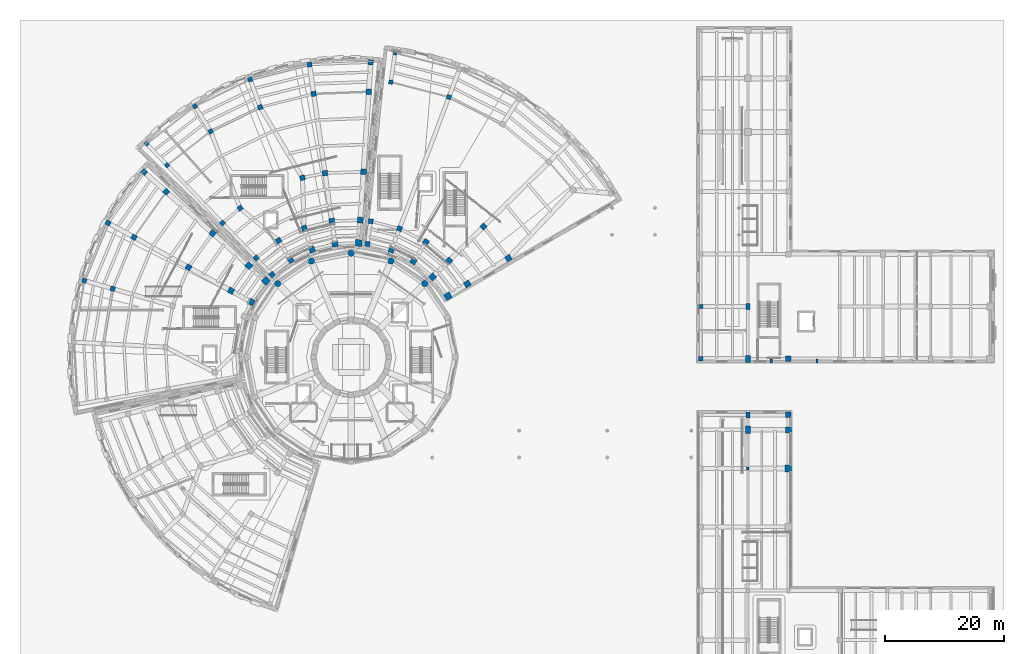
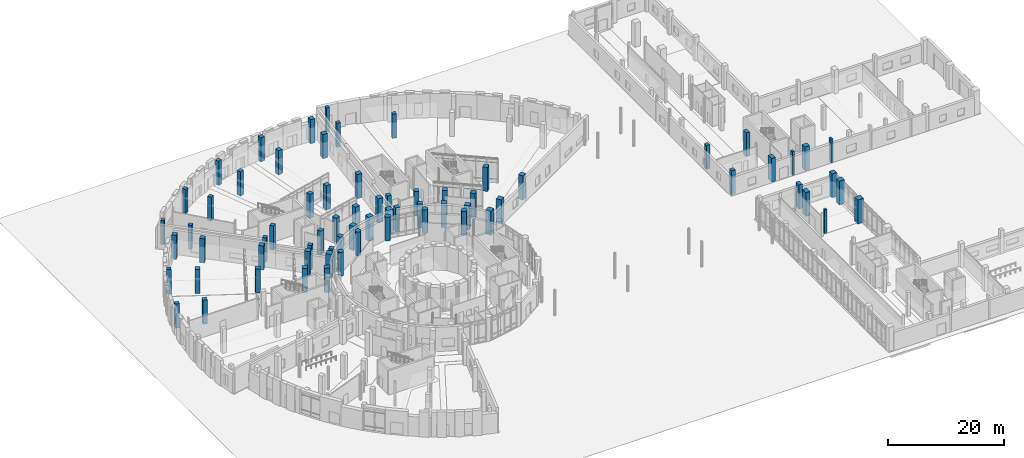
# One storey, part 6 of 74: 70 columns.
"""IFC4 building model written with IfcOpenShell, lengths in metres."""

from ifc_helpers import new_model, si_unit, direction, frame, origin, origin_2d, place, context, subcontext, project, spatial, rectangle, circle, extrude, material, material_profile, profile_set, type_object, element, save


model = new_model("IFC4")

# Units and contexts
model_context = context("Model", 3, precision=1e-05, world=origin(), true_north=direction((0.0, 1.0)))
body_context = subcontext(model_context, "Body", "Model", "MODEL_VIEW")
ifc_project = project(units=[si_unit("LENGTHUNIT", "METRE"), si_unit("AREAUNIT", "SQUARE_METRE"), si_unit("VOLUMEUNIT", "CUBIC_METRE"), si_unit("PLANEANGLEUNIT", "RADIAN"), si_unit("MASSUNIT", "GRAM", prefix="KILO")], contexts=[model_context])

# Site, building, storey
site_placement = place(None, origin())
site = spatial("IfcSite", under=ifc_project, at=site_placement, CompositionType="ELEMENT")
building_placement = place(site_placement, origin())
building = spatial("IfcBuilding", under=site, at=building_placement, Name="Soyqirgoq Riverine Aquarium", CompositionType="ELEMENT")
storey_placement = place(building_placement, origin())
storey = spatial("IfcBuildingStorey", under=building, at=storey_placement, Name="L01", CompositionType="ELEMENT", Elevation=0.0)

# Columns
ifc_material_1 = material(Name="Concrete C40/50", Category="concrete")
ifc_material_profile_1 = material_profile(ifc_material_1, circle(Radius=0.52490234375, at=origin_2d()), Name="RC-COL D1050")
ifc_profile_set_1 = profile_set([ifc_material_profile_1], Name="Concrete C40/50")
column_type_1 = type_object("IfcColumnType", Name="Col_Circ_D1050", PredefinedType="COLUMN", material=ifc_profile_set_1)
for number, where, z_axis, x_axis, name in (
    (1, (68.339111328125, 69.339111328125, 0.0), (0.0, 0.0, 1.0), (0.707106781187, 0.707106781187, 0.0), "V1 Column V1-CO03 L01"),
    (2, (62.677734375, 73.12158203125, 0.0), (0.0, 0.0, 1.0), (0.382683432365, 0.923879532511, 0.0), "V1 Column V1-CO04 L01"),
    (3, (56.0, 74.449951171875, 0.0), (0.0, 0.0, 1.0), (0.0, 1.0, 0.0), "V1 Column V1-CO05 L01"),
    (4, (49.322265625, 73.12158203125, 0.0), (0.0, 0.0, 1.0), (-0.382683432365, 0.923879532511, 0.0), "V1 Column V1-CO06 L01"),
    (5, (43.660888671875, 69.339111328125, 0.0), (0.0, 0.0, 1.0), (-0.707106781187, 0.707106781187, 0.0), "V1 Column V1-CO07 L01"),
):
    element("IfcColumn", number, at=place(storey_placement, frame(where, z_axis=z_axis, x_axis=x_axis)), inside=storey, type_object=column_type_1, Name=name, PredefinedType="COLUMN", context=body_context, shape_type="SweptSolid", body=[
        extrude(circle(Radius=0.52490234375, at=origin_2d()), origin(), (0.0, 0.0, 1.0), 5.050048828125),
    ])
ifc_material_2 = material(Name="Concrete C40/50", Category="concrete")
ifc_material_profile_2 = material_profile(ifc_material_2, rectangle(XDim=1.0, YDim=1.0, at=origin_2d()), Name="RC 1000x1000")
ifc_profile_set_2 = profile_set([ifc_material_profile_2], Name="Concrete C40/50")
column_type_2 = type_object("IfcColumnType", Name="Col_RC_1000x1000", PredefinedType="COLUMN", material=ifc_profile_set_2)
for number, where, z_axis, x_axis, name in (
    (6, (38.81689453125, 72.363525390625, 0.0), (0.0, 0.0, 1.0), (-0.745475999683, 0.666532470249, 0.0), "V3 Column V3-CR2-01 L01"),
    (7, (39.191162109375, 66.279052734375, 0.0), (0.0, 0.0, 1.0), (-0.875464527, 0.483282383255, 0.0), "V3 Column V3-CR1-02 L01"),
    (8, (57.527587890625, 79.999267578125, 0.0), (0.0, 0.0, 1.0), (0.0662739004, 0.997801468292, 0.0), "V4 Column V4-CR2-01 L01"),
    (9, (53.294677734375, 76.008544921875, 0.0), (0.0, 0.0, 1.0), (-0.140901231938, 0.990023657717, 0.0), "V4 Column V4-CR1-02 L01"),
    (10, (75.5048828125, 69.28271484375, 0.0), (0.0, 0.0, 1.0), (0.846193166128, 0.532876276071, 0.0), "V5 Column V5-CR2-01 L01"),
    (11, (69.6708984375, 70.481201171875, 0.0), (0.0, 0.0, 1.0), (0.712026045991, 0.702153052995, 0.0), "V5 Column V5-CR1-02 L01"),
):
    element("IfcColumn", number, at=place(storey_placement, frame(where, z_axis=z_axis, x_axis=x_axis)), inside=storey, type_object=column_type_2, Name=name, PredefinedType="COLUMN", context=body_context, shape_type="SweptSolid", body=[
        extrude(rectangle(XDim=1.0, YDim=1.0, at=origin_2d()), origin(), (0.0, 0.0, 1.0), 5.10009765625),
    ])
column_1_placement = place(storey_placement, frame((129.39990234375, 44.800048828125, 0.0), z_axis=(0.0, 0.0, 1.0), x_axis=(1.0, 0.0, 0.0)))
element("IfcColumn", 12, at=column_1_placement, inside=storey, type_object=column_type_2, Name="V6 Column V6-C-19 L01", PredefinedType="COLUMN", context=body_context, shape_type="SweptSolid", body=[
    extrude(rectangle(XDim=1.0, YDim=1.0, at=origin_2d()), origin(), (0.0, 0.0, 1.0), 5.050048828125),
])
ifc_material_3 = material(Name="Waterproof concrete C45/55", Category="concrete")
ifc_material_profile_3 = material_profile(ifc_material_3, rectangle(XDim=1.10009765625, YDim=1.10009765625, at=origin_2d()), Name="RC 1100x1100")
ifc_profile_set_3 = profile_set([ifc_material_profile_3], Name="Waterproof concrete C45/55")
column_type_3 = type_object("IfcColumnType", Name="Col_RC_1100x1100", PredefinedType="COLUMN", material=ifc_profile_set_3)
for number, where, z_axis, x_axis, name in (
    (13, (41.68701171875, 69.79736328125, 0.0), (0.0, 0.0, 1.0), (-0.745475999683, 0.666532470249, 0.0), "V3 Column V3-CR1-01 L01"),
    (14, (57.2724609375, 76.15771484375, 0.0), (0.0, 0.0, 1.0), (0.0662739004, 0.997801468292, 0.0), "V4 Column V4-CR1-01 L01"),
    (15, (72.246826171875, 67.231201171875, 0.0), (0.0, 0.0, 1.0), (0.846193166128, 0.532876276071, 0.0), "V5 Column V5-CR1-01 L01"),
):
    element("IfcColumn", number, at=place(storey_placement, frame(where, z_axis=z_axis, x_axis=x_axis)), inside=storey, type_object=column_type_3, Name=name, PredefinedType="COLUMN", context=body_context, shape_type="SweptSolid", body=[
        extrude(rectangle(XDim=1.10009765625, YDim=1.10009765625, at=origin_2d()), origin(), (0.0, 0.0, 1.0), 5.10009765625),
    ])
column_2_placement = place(storey_placement, frame((129.39990234375, 38.300048828125, 0.0), z_axis=(0.0, 0.0, 1.0), x_axis=(1.0, 0.0, 0.0)))
element("IfcColumn", 16, at=column_2_placement, inside=storey, type_object=column_type_3, Name="V6 Column V6-C-18 L01", PredefinedType="COLUMN", context=body_context, shape_type="SweptSolid", body=[
    extrude(rectangle(XDim=1.10009765625, YDim=1.10009765625, at=origin_2d()), origin(), (0.0, 0.0, 1.0), 5.050048828125),
])
ifc_material_4 = material(Name="Concrete C40/50", Category="concrete")
ifc_material_profile_4 = material_profile(ifc_material_4, rectangle(XDim=0.449951171875, YDim=0.449951171875, at=origin_2d()), Name="RC 450x450")
ifc_profile_set_4 = profile_set([ifc_material_profile_4], Name="Concrete C40/50")
column_type_4 = type_object("IfcColumnType", Name="Col_RC_450x450", PredefinedType="COLUMN", material=ifc_profile_set_4)
column_3_placement = place(storey_placement, frame((122.60009765625, 38.300048828125, 0.0), z_axis=(0.0, 0.0, 1.0), x_axis=(1.0, 0.0, 0.0)))
element("IfcColumn", 17, at=column_3_placement, inside=storey, type_object=column_type_4, Name="V6 Column V6-C-12 L01", PredefinedType="COLUMN", context=body_context, shape_type="SweptSolid", body=[
    extrude(rectangle(XDim=0.449951171875, YDim=0.449951171875, at=origin_2d()), origin(), (0.0, 0.0, 1.0), 5.050048828125),
])
ifc_material_5 = material(Name="Concrete C40/50", Category="concrete")
ifc_material_profile_5 = material_profile(ifc_material_5, rectangle(XDim=0.64990234375, YDim=0.64990234375, at=origin_2d()), Name="RC 650x650")
ifc_profile_set_5 = profile_set([ifc_material_profile_5], Name="Concrete C40/50")
column_type_5 = type_object("IfcColumnType", Name="Col_RC_650x650", PredefinedType="COLUMN", material=ifc_profile_set_5)
for number, where, z_axis, x_axis, name in (
    (18, (21.669677734375, 92.79931640625, 0.0), (0.0, 0.0, 1.0), (-0.69214317387, 0.721760228098, 0.0), "V4 Column V4-CR5-05 L01"),
    (19, (63.359619140625, 108.072509765625, 0.0), (0.0, 0.0, 1.0), (0.142628933706, 0.989776230908, 0.0), "V5 Column V5-CR5-05 L01"),
):
    element("IfcColumn", number, at=place(storey_placement, frame(where, z_axis=z_axis, x_axis=x_axis)), inside=storey, type_object=column_type_5, Name=name, PredefinedType="COLUMN", context=body_context, shape_type="SweptSolid", body=[
        extrude(rectangle(XDim=0.64990234375, YDim=0.64990234375, at=origin_2d()), origin(), (0.0, 0.0, 1.0), 5.10009765625),
    ])
ifc_material_6 = material(Name="Concrete C40/50", Category="concrete")
ifc_material_profile_6 = material_profile(ifc_material_6, rectangle(XDim=0.699951171875, YDim=1.050048828125, at=origin_2d()), Name="RC-COL 700x1050")
ifc_profile_set_6 = profile_set([ifc_material_profile_6], Name="Concrete C40/50")
column_type_6 = type_object("IfcColumnType", Name="Col_RC_700x1050", PredefinedType="COLUMN", material=ifc_profile_set_6)
for number, where, z_axis, x_axis, name in (
    (20, (122.60009765625, 47.300048828125, 0.0), (0.0, 0.0, 1.0), (1.0, 0.0, 0.0), "V6 Column V6-C-14 L01"),
    (21, (122.60009765625, 65.5, 0.0), (0.0, 0.0, 1.0), (1.0, 0.0, 0.0), "V7 Column V7-C-09 L01"),
):
    element("IfcColumn", number, at=place(storey_placement, frame(where, z_axis=z_axis, x_axis=x_axis)), inside=storey, type_object=column_type_6, Name=name, PredefinedType="COLUMN", context=body_context, shape_type="SweptSolid", body=[
        extrude(rectangle(XDim=0.699951171875, YDim=1.050048828125, at=origin_2d()), origin(), (0.0, 0.0, 1.0), 5.050048828125),
    ])
ifc_material_7 = material(Name="Concrete C40/50", Category="concrete")
ifc_material_profile_7 = material_profile(ifc_material_7, rectangle(XDim=0.699951171875, YDim=0.699951171875, at=origin_2d()), Name="RC 700x700")
ifc_profile_set_7 = profile_set([ifc_material_profile_7], Name="Concrete C40/50")
column_type_7 = type_object("IfcColumnType", Name="Col_RC_700x700", PredefinedType="COLUMN", material=ifc_profile_set_7)
for number, where, z_axis, x_axis, name in (
    (22, (29.78955078125, 99.10888671875, 0.0), (0.0, 0.0, 1.0), (-0.528438334722, 0.848971687629, 0.0), "V4 Column V4-CR5-04 L01"),
    (23, (25.095703125, 89.2265625, 0.0), (0.0, 0.0, 1.0), (-0.69214317387, 0.721760228098, 0.0), "V4 Column V4-CR4-05 L01"),
    (24, (62.653564453125, 103.173095703125, 0.0), (0.0, 0.0, 1.0), (0.142628933706, 0.989776230908, 0.0), "V5 Column V5-CR4-05 L01"),
):
    element("IfcColumn", number, at=place(storey_placement, frame(where, z_axis=z_axis, x_axis=x_axis)), inside=storey, type_object=column_type_7, Name=name, PredefinedType="COLUMN", context=body_context, shape_type="SweptSolid", body=[
        extrude(rectangle(XDim=0.699951171875, YDim=0.699951171875, at=origin_2d()), origin(), (0.0, 0.0, 1.0), 5.10009765625),
    ])
column_4_placement = place(storey_placement, frame((114.699951171875, 65.5, 0.0), z_axis=(0.0, 0.0, 1.0), x_axis=(1.0, 0.0, 0.0)))
element("IfcColumn", 25, at=column_4_placement, inside=storey, type_object=column_type_7, Name="V7 Column V7-C-02 L01", PredefinedType="COLUMN", context=body_context, shape_type="SweptSolid", body=[
    extrude(rectangle(XDim=0.699951171875, YDim=0.699951171875, at=origin_2d()), origin(), (0.0, 0.0, 1.0), 5.050048828125),
])
ifc_material_8 = material(Name="Concrete C40/50", Category="concrete")
ifc_material_profile_8 = material_profile(ifc_material_8, rectangle(XDim=0.75, YDim=0.75, at=origin_2d()), Name="RC 750x750")
ifc_profile_set_8 = profile_set([ifc_material_profile_8], Name="Concrete C40/50")
column_type_8 = type_object("IfcColumnType", Name="Col_RC_750x750", PredefinedType="COLUMN", material=ifc_profile_set_8)
for number, where, z_axis, x_axis, name in (
    (26, (11.205078125, 69.8447265625, 0.0), (0.0, 0.0, 1.0), (-0.961261695938, 0.275637355817, 0.0), "V3 Column V3-CR5-03 L01"),
    (27, (39.035888671875, 103.60888671875, 0.0), (0.0, 0.0, 1.0), (-0.342020143326, 0.939692620786, 0.0), "V4 Column V4-CR5-03 L01"),
    (28, (32.4052734375, 94.906494140625, 0.0), (0.0, 0.0, 1.0), (-0.528438334722, 0.848971687629, 0.0), "V4 Column V4-CR4-04 L01"),
    (29, (34.405029296875, 79.518798828125, 0.0), (0.0, 0.0, 1.0), (-0.69214317387, 0.721760228098, 0.0), "V4 Column V4-CR3-05 L01"),
    (30, (72.413330078125, 100.667236328125, 0.0), (0.0, 0.0, 1.0), (0.351841648405, 0.936059535739, 0.0), "V5 Column V5-CR4-04 L01"),
):
    element("IfcColumn", number, at=place(storey_placement, frame(where, z_axis=z_axis, x_axis=x_axis)), inside=storey, type_object=column_type_8, Name=name, PredefinedType="COLUMN", context=body_context, shape_type="SweptSolid", body=[
        extrude(rectangle(XDim=0.75, YDim=0.75, at=origin_2d()), origin(), (0.0, 0.0, 1.0), 5.10009765625),
    ])
column_5_placement = place(storey_placement, frame((114.699951171875, 56.699951171875, 0.0), z_axis=(0.0, 0.0, 1.0), x_axis=(1.0, 0.0, 0.0)))
element("IfcColumn", 31, at=column_5_placement, inside=storey, type_object=column_type_8, Name="V7 Column V7-C-01 L01", PredefinedType="COLUMN", context=body_context, shape_type="SweptSolid", body=[
    extrude(rectangle(XDim=0.75, YDim=0.75, at=origin_2d()), origin(), (0.0, 0.0, 1.0), 5.050048828125),
])
ifc_material_9 = material(Name="Concrete C40/50", Category="concrete")
ifc_material_profile_9 = material_profile(ifc_material_9, rectangle(XDim=0.800048828125, YDim=1.199951171875, at=origin_2d()), Name="RC-COL 800x1200")
ifc_profile_set_9 = profile_set([ifc_material_profile_9], Name="Concrete C40/50")
column_type_9 = type_object("IfcColumnType", Name="Col_RC_800x1200", PredefinedType="COLUMN", material=ifc_profile_set_9)
for number, where, z_axis, x_axis, name in (
    (32, (122.60009765625, 44.800048828125, 0.0), (0.0, 0.0, 1.0), (1.0, 0.0, 0.0), "V6 Column V6-C-13 L01"),
    (33, (122.60009765625, 56.699951171875, 0.0), (0.0, 0.0, 1.0), (1.0, 0.0, 0.0), "V7 Column V7-C-08 L01"),
):
    element("IfcColumn", number, at=place(storey_placement, frame(where, z_axis=z_axis, x_axis=x_axis)), inside=storey, type_object=column_type_9, Name=name, PredefinedType="COLUMN", context=body_context, shape_type="SweptSolid", body=[
        extrude(rectangle(XDim=0.800048828125, YDim=1.199951171875, at=origin_2d()), origin(), (0.0, 0.0, 1.0), 5.050048828125),
    ])
ifc_material_10 = material(Name="Concrete C40/50", Category="concrete")
ifc_material_profile_10 = material_profile(ifc_material_10, rectangle(XDim=0.800048828125, YDim=0.800048828125, at=origin_2d()), Name="RC 800x800")
ifc_profile_set_10 = profile_set([ifc_material_profile_10], Name="Concrete C40/50")
column_type_10 = type_object("IfcColumnType", Name="Col_RC_800x800", PredefinedType="COLUMN", material=ifc_profile_set_10)
for number, where, z_axis, x_axis, name in (
    (34, (15.203369140625, 79.52099609375, 0.0), (0.0, 0.0, 1.0), (-0.875464527, 0.483282383255, 0.0), "V3 Column V3-CR5-02 L01"),
    (35, (15.96337890625, 68.480224609375, 0.0), (0.0, 0.0, 1.0), (-0.961261695938, 0.275637355817, 0.0), "V3 Column V3-CR4-03 L01"),
    (36, (49.01123046875, 106.105224609375, 0.0), (0.0, 0.0, 1.0), (-0.140901231938, 0.990023657717, 0.0), "V4 Column V4-CR5-02 L01"),
    (37, (40.728759765625, 98.957275390625, 0.0), (0.0, 0.0, 1.0), (-0.342020143326, 0.939692620786, 0.0), "V4 Column V4-CR4-03 L01"),
    (38, (37.35400390625, 82.015380859375, 0.0), (0.0, 0.0, 1.0), (-0.597625146976, 0.801775644244, 0.0), "V4 Column V4-CR3-04 L01"),
    (39, (40.046142578125, 73.63671875, 0.0), (0.0, 0.0, 1.0), (-0.69214317387, 0.721760228098, 0.0), "V4 Column V4-CR2-05 L01"),
    (40, (59.28759765625, 79.814208984375, 0.0), (0.0, 0.0, 1.0), (0.142628933706, 0.989776230908, 0.0), "V5 Column V5-CR2-05 L01"),
):
    element("IfcColumn", number, at=place(storey_placement, frame(where, z_axis=z_axis, x_axis=x_axis)), inside=storey, type_object=column_type_10, Name=name, PredefinedType="COLUMN", context=body_context, shape_type="SweptSolid", body=[
        extrude(rectangle(XDim=0.800048828125, YDim=0.800048828125, at=origin_2d()), origin(), (0.0, 0.0, 1.0), 5.10009765625),
    ])
ifc_material_11 = material(Name="Concrete C40/50", Category="concrete")
ifc_material_profile_11 = material_profile(ifc_material_11, rectangle(XDim=0.85009765625, YDim=0.85009765625, at=origin_2d()), Name="RC 850x850")
ifc_profile_set_11 = profile_set([ifc_material_profile_11], Name="Concrete C40/50")
column_type_11 = type_object("IfcColumnType", Name="Col_RC_850x850", PredefinedType="COLUMN", material=ifc_profile_set_11)
for number, where, z_axis, x_axis, name in (
    (41, (21.2607421875, 88.060302734375, 0.0), (0.0, 0.0, 1.0), (-0.745475999683, 0.666532470249, 0.0), "V3 Column V3-CR5-01 L01"),
    (42, (19.536865234375, 77.128662109375, 0.0), (0.0, 0.0, 1.0), (-0.875464527, 0.483282383255, 0.0), "V3 Column V3-CR4-02 L01"),
    (43, (59.287109375, 106.490966796875, 0.0), (0.0, 0.0, 1.0), (0.0662739004, 0.997801468292, 0.0), "V4 Column V4-CR5-01 L01"),
    (44, (49.708740234375, 101.20458984375, 0.0), (0.0, 0.0, 1.0), (-0.140901231938, 0.990023657717, 0.0), "V4 Column V4-CR4-02 L01"),
    (45, (47.819580078125, 87.1083984375, 0.0), (0.0, 0.0, 1.0), (-0.262189178641, 0.965016494472, 0.0), "V4 Column V4-CR3-03 L01"),
    (46, (43.819580078125, 76.56884765625, 0.0), (0.0, 0.0, 1.0), (-0.528438334722, 0.848971687629, 0.0), "V4 Column V4-CR2-04 L01"),
    (47, (42.7109375, 70.85791015625, 0.0), (0.0, 0.0, 1.0), (-0.69214317387, 0.721760228098, 0.0), "V4 Column V4-CR1-05 L01"),
    (48, (64.10986328125, 78.576171875, 0.0), (0.0, 0.0, 1.0), (0.351841648405, 0.936059535739, 0.0), "V5 Column V5-CR2-04 L01"),
    (49, (58.738525390625, 76.003662109375, 0.0), (0.0, 0.0, 1.0), (0.142628933706, 0.989776230908, 0.0), "V5 Column V5-CR1-05 L01"),
):
    element("IfcColumn", number, at=place(storey_placement, frame(where, z_axis=z_axis, x_axis=x_axis)), inside=storey, type_object=column_type_11, Name=name, PredefinedType="COLUMN", context=body_context, shape_type="SweptSolid", body=[
        extrude(rectangle(XDim=0.85009765625, YDim=0.85009765625, at=origin_2d()), origin(), (0.0, 0.0, 1.0), 5.10009765625),
    ])
ifc_material_12 = material(Name="Concrete C40/50", Category="concrete")
ifc_material_profile_12 = material_profile(ifc_material_12, rectangle(XDim=0.89990234375, YDim=0.89990234375, at=origin_2d()), Name="RC 900x900")
ifc_profile_set_12 = profile_set([ifc_material_profile_12], Name="Concrete C40/50")
column_type_12 = type_object("IfcColumnType", Name="Col_RC_900x900", PredefinedType="COLUMN", material=ifc_profile_set_12)
for number, where, z_axis, x_axis, name in (
    (50, (24.950927734375, 84.760986328125, 0.0), (0.0, 0.0, 1.0), (-0.745475999683, 0.666532470249, 0.0), "V3 Column V3-CR4-01 L01"),
    (51, (28.685546875, 72.078369140625, 0.0), (0.0, 0.0, 1.0), (-0.875464527, 0.483282383255, 0.0), "V3 Column V3-CR3-02 L01"),
    (52, (58.958984375, 101.5517578125, 0.0), (0.0, 0.0, 1.0), (0.0662739004, 0.997801468292, 0.0), "V4 Column V4-CR4-01 L01"),
    (53, (51.60400390625, 87.888671875, 0.0), (0.0, 0.0, 1.0), (-0.140901231938, 0.990023657717, 0.0), "V4 Column V4-CR3-02 L01"),
    (54, (48.116455078125, 78.659912109375, 0.0), (0.0, 0.0, 1.0), (-0.342020143326, 0.939692620786, 0.0), "V4 Column V4-CR2-03 L01"),
    (55, (45.85400390625, 73.30029296875, 0.0), (0.0, 0.0, 1.0), (-0.528438334722, 0.848971687629, 0.0), "V4 Column V4-CR1-04 L01"),
    (56, (78.215087890625, 78.9072265625, 0.0), (0.0, 0.0, 1.0), (0.712026045991, 0.702153052995, 0.0), "V5 Column V5-CR3-02 L01"),
    (57, (68.553955078125, 76.331298828125, 0.0), (0.0, 0.0, 1.0), (0.544639035015, 0.838670567945, 0.0), "V5 Column V5-CR2-03 L01"),
    (58, (62.75537109375, 74.972412109375, 0.0), (0.0, 0.0, 1.0), (0.351841648405, 0.936059535739, 0.0), "V5 Column V5-CR1-04 L01"),
):
    element("IfcColumn", number, at=place(storey_placement, frame(where, z_axis=z_axis, x_axis=x_axis)), inside=storey, type_object=column_type_12, Name=name, PredefinedType="COLUMN", context=body_context, shape_type="SweptSolid", body=[
        extrude(rectangle(XDim=0.89990234375, YDim=0.89990234375, at=origin_2d()), origin(), (0.0, 0.0, 1.0), 5.10009765625),
    ])
ifc_material_13 = material(Name="Concrete C40/50", Category="concrete")
ifc_material_profile_13 = material_profile(ifc_material_13, rectangle(XDim=0.949951171875, YDim=0.949951171875, at=origin_2d()), Name="RC 950x950")
ifc_profile_set_13 = profile_set([ifc_material_profile_13], Name="Concrete C40/50")
column_type_13 = type_object("IfcColumnType", Name="Col_RC_950x950", PredefinedType="COLUMN", material=ifc_profile_set_13)
for number, where, z_axis, x_axis, name in (
    (59, (32.7412109375, 77.7958984375, 0.0), (0.0, 0.0, 1.0), (-0.745475999683, 0.666532470249, 0.0), "V3 Column V3-CR3-01 L01"),
    (60, (35.820556640625, 68.1396484375, 0.0), (0.0, 0.0, 1.0), (-0.875464527, 0.483282383255, 0.0), "V3 Column V3-CR2-02 L01"),
    (61, (58.067626953125, 88.13134765625, 0.0), (0.0, 0.0, 1.0), (0.0662739004, 0.997801468292, 0.0), "V4 Column V4-CR3-01 L01"),
    (62, (52.752197265625, 79.820068359375, 0.0), (0.0, 0.0, 1.0), (-0.140901231938, 0.990023657717, 0.0), "V4 Column V4-CR2-02 L01"),
    (63, (49.43310546875, 75.0419921875, 0.0), (0.0, 0.0, 1.0), (-0.342020143326, 0.939692620786, 0.0), "V4 Column V4-CR1-03 L01"),
    (64, (82.401123046875, 73.625732421875, 0.0), (0.0, 0.0, 1.0), (0.846193166128, 0.532876276071, 0.0), "V5 Column V5-CR3-01 L01"),
    (65, (72.412109375, 73.1845703125, 0.0), (0.0, 0.0, 1.0), (0.712026045991, 0.702153052995, 0.0), "V5 Column V5-CR2-02 L01"),
    (66, (66.45703125, 73.1025390625, 0.0), (0.0, 0.0, 1.0), (0.544639035015, 0.838670567945, 0.0), "V5 Column V5-CR1-03 L01"),
):
    element("IfcColumn", number, at=place(storey_placement, frame(where, z_axis=z_axis, x_axis=x_axis)), inside=storey, type_object=column_type_13, Name=name, PredefinedType="COLUMN", context=body_context, shape_type="SweptSolid", body=[
        extrude(rectangle(XDim=0.949951171875, YDim=0.949951171875, at=origin_2d()), origin(), (0.0, 0.0, 1.0), 5.10009765625),
    ])
for number, where, z_axis, x_axis, name in (
    (67, (129.39990234375, 47.300048828125, 0.0), (0.0, 0.0, 1.0), (1.0, 0.0, 0.0), "V6 Column V6-C-20 L01"),
    (68, (129.39990234375, 56.699951171875, 0.0), (0.0, 0.0, 1.0), (1.0, 0.0, 0.0), "V7 Column V7-C-15 L01"),
):
    element("IfcColumn", number, at=place(storey_placement, frame(where, z_axis=z_axis, x_axis=x_axis)), inside=storey, type_object=column_type_13, Name=name, PredefinedType="COLUMN", context=body_context, shape_type="SweptSolid", body=[
        extrude(rectangle(XDim=0.949951171875, YDim=0.949951171875, at=origin_2d()), origin(), (0.0, 0.0, 1.0), 5.050048828125),
    ])
ifc_material_14 = material(Name="Concrete C40/50", Category="concrete")
ifc_material_profile_14 = material_profile(ifc_material_14, rectangle(XDim=0.39990234375, YDim=0.60009765625, at=origin_2d()), Name="RC-PIL 400x600")
ifc_profile_set_14 = profile_set([ifc_material_profile_14], Name="Concrete C40/50")
column_type_14 = type_object("IfcColumnType", Name="Pilaster_400x600", PredefinedType="PILASTER", material=ifc_profile_set_14)
for number, where, z_axis, x_axis, name in (
    (69, (126.5, 56.35009765625, 0.0), (0.0, 0.0, 1.0), (1.0, 0.0, 0.0), "V7 Facade Pilaster PIL-V7-02 L01"),
    (70, (134.199951171875, 56.35009765625, 0.0), (0.0, 0.0, 1.0), (1.0, 0.0, 0.0), "V7 Facade Pilaster PIL-V7-04 L01"),
):
    element("IfcColumn", number, at=place(storey_placement, frame(where, z_axis=z_axis, x_axis=x_axis)), inside=storey, type_object=column_type_14, Name=name, PredefinedType="PILASTER", context=body_context, shape_type="SweptSolid", body=[
        extrude(rectangle(XDim=0.39990234375, YDim=0.60009765625, at=origin_2d()), origin(), (0.0, 0.0, 1.0), 5.050048828125),
    ])

save(model, "model.ifc")
